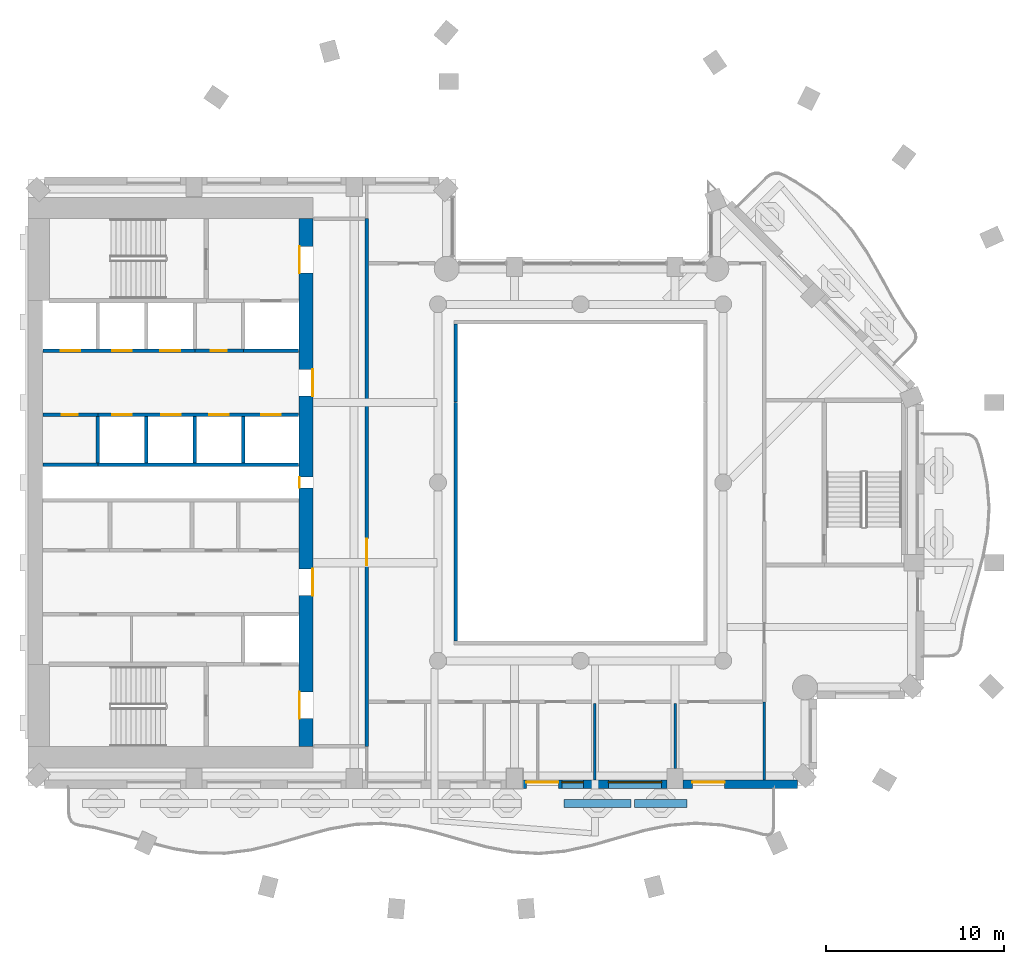
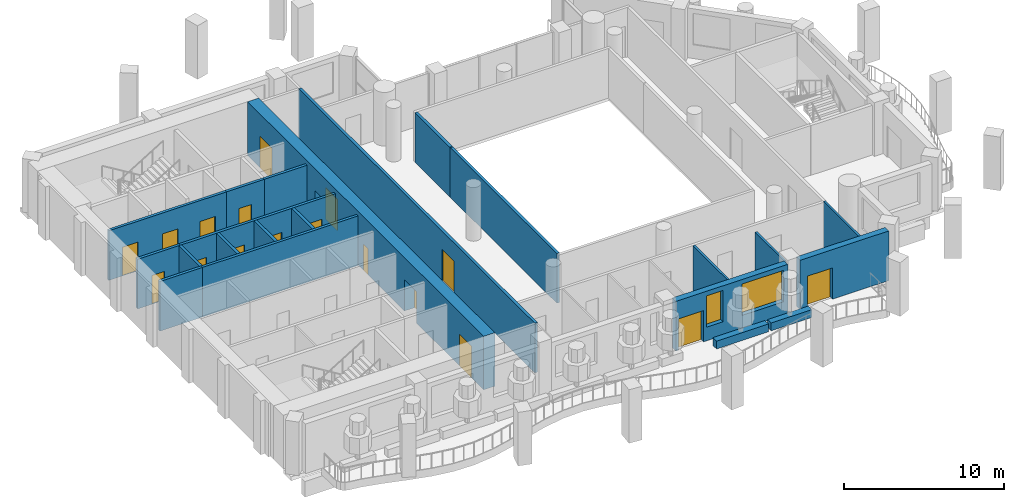
# One storey, part 5 of 15: 22 walls, 17 doors, 2 windows, 19 openings.
"""IFC4 building model written with IfcOpenShell, lengths in metres."""

from ifc_helpers import new_model, si_unit, direction, frame, frame_2d, origin, place, context, subcontext, project, spatial, rectangle, extrude, material, layer, layer_set, type_object, element, fill, save


model = new_model("IFC4")

# Units and contexts
model_context = context("Model", 3, precision=1e-05, world=origin(), true_north=direction((0.0, 1.0)))
body_context = subcontext(model_context, "Body", "Model", "MODEL_VIEW")
ifc_project = project(units=[si_unit("LENGTHUNIT", "METRE"), si_unit("AREAUNIT", "SQUARE_METRE"), si_unit("VOLUMEUNIT", "CUBIC_METRE"), si_unit("PLANEANGLEUNIT", "RADIAN"), si_unit("MASSUNIT", "GRAM", prefix="KILO")], contexts=[model_context])

# Site, building, storey
site_placement = place(None, origin())
site = spatial("IfcSite", under=ifc_project, at=site_placement, CompositionType="ELEMENT")
building_placement = place(site_placement, origin())
building = spatial("IfcBuilding", under=site, at=building_placement, Name="Cypress Arch Tower", CompositionType="ELEMENT")
storey_placement = place(building_placement, frame((0.0, 0.0, 234.300048828125)))
storey = spatial("IfcBuildingStorey", under=building, at=storey_placement, Name="L52", CompositionType="ELEMENT", Elevation=234.300048828125)

# Walls
ifc_material_1 = material(Name="Concrete C40/50, waterproofed", Category="concrete")
ifc_layer_1 = layer(ifc_material_1, 0.449951171875)
ifc_layer_set_1 = layer_set([ifc_layer_1], Name="Balcony planter wall PW450")
wall_type_1 = type_object("IfcWallType", Name="Balcony planter wall PW450", PredefinedType="SOLIDWALL", material=ifc_layer_set_1)
wall_1_placement = place(storey_placement, frame((0.070068359375, -18.0, 0.0), z_axis=(0.0, 0.0, 1.0), x_axis=(1.0, 0.0, 0.0)))
element("IfcWall", 1, at=wall_1_placement, inside=storey, type_object=wall_type_1, Name="Balcony planter wall L52-B01.8", PredefinedType="SOLIDWALL", context=body_context, shape_type="SweptSolid", body=[
    extrude(rectangle(XDim=3.760009765625, YDim=0.449951171875, at=frame_2d((1.8798828125, 0.0))), origin(), (0.0, 0.0, 1.0), 0.599853515625),
])
wall_2_placement = place(storey_placement, frame((4.030029296875, -18.0, 0.0), z_axis=(0.0, 0.0, 1.0), x_axis=(1.0, 0.0, 0.0)))
element("IfcWall", 2, at=wall_2_placement, inside=storey, type_object=wall_type_1, Name="Balcony planter wall L52-B01.9", PredefinedType="SOLIDWALL", context=body_context, shape_type="SweptSolid", body=[
    extrude(rectangle(XDim=2.945068359375, YDim=0.449951171875, at=frame_2d((1.47265625, 0.0))), origin(), (0.0, 0.0, 1.0), 0.599853515625),
])

# Wall, openings, door, windows
ifc_material_2 = material(Name="Brick (red buff blend)", Category="masonry")
ifc_layer_2 = layer(ifc_material_2, 0.449951171875)
ifc_layer_set_2 = layer_set([ifc_layer_2], Name="Brick pier and spandrel wall BW450")
wall_type_2 = type_object("IfcWallType", Name="Brick pier and spandrel wall BW450", PredefinedType="SOLIDWALL", material=ifc_layer_set_2)
wall_3_placement = place(storey_placement, frame((-2.25, -16.925048828125, 0.0), z_axis=(0.0, 0.0, 1.0), x_axis=(1.0, 0.0, 0.0)))
wall_3 = element("IfcWall", 3, at=wall_3_placement, inside=storey, type_object=wall_type_2, Name="Brick wall L52 B01.3", PredefinedType="SOLIDWALL", context=body_context, shape_type="SweptSolid", body=[
    extrude(rectangle(XDim=8.10009765625, YDim=0.449951171875, at=frame_2d((4.050048828125, 0.0))), origin(), (0.0, 0.0, 1.0), 3.800048828125),
])
opening_1_placement = place(wall_3_placement, frame((0.199951171875, 0.0, 0.0)))
opening_1 = element("IfcOpeningElement", 4, at=opening_1_placement, cuts=wall_3, Name="Opening D-L52-B01.3.1", PredefinedType="OPENING", context=body_context, shape_type="SweptSolid", body=[
    extrude(rectangle(XDim=1.800048828125, YDim=2.39990234375, at=frame_2d((0.89990234375, 1.199951171875))), frame((0.0, 0.23486328125, 0.0), z_axis=(0.0, -1.0, 0.0), x_axis=(1.0, 0.0, 0.0)), (0.0, 0.0, 1.0), 0.469970703125),
])
opening_2_placement = place(wall_3_placement, frame((2.199951171875, 0.0, 1.050048828125)))
opening_2 = element("IfcOpeningElement", 5, at=opening_2_placement, cuts=wall_3, Name="Opening W120OD", PredefinedType="OPENING", context=body_context, shape_type="SweptSolid", body=[
    extrude(rectangle(XDim=1.199951171875, YDim=2.39990234375, at=frame_2d((0.60009765625, 1.199951171875))), frame((0.0, 0.23486328125, 0.0), z_axis=(0.0, -1.0, 0.0), x_axis=(1.0, 0.0, 0.0)), (0.0, 0.0, 1.0), 0.469970703125),
])
opening_3_placement = place(wall_3_placement, frame((4.800048828125, 0.0, 1.050048828125)))
opening_3 = element("IfcOpeningElement", 6, at=opening_3_placement, cuts=wall_3, Name="Opening W300OD", PredefinedType="OPENING", context=body_context, shape_type="SweptSolid", body=[
    extrude(rectangle(XDim=3.0, YDim=2.39990234375, at=frame_2d((1.5, 1.199951171875))), frame((0.0, 0.23486328125, 0.0), z_axis=(0.0, -1.0, 0.0), x_axis=(1.0, 0.0, 0.0)), (0.0, 0.0, 1.0), 0.469970703125),
])
ifc_material_3 = material(Name="Anodised aluminium, bronze finish, laminated low-emissivity double glazing, large-missile impact rated", Category="aluminium")
door_type_1 = type_object("IfcDoorType", Name="Balcony sliding door 1800x2400", OperationType="SLIDING_TO_LEFT", PredefinedType="DOOR", material=ifc_material_3)
door_1_placement = place(opening_1_placement, origin())
door_1 = element("IfcDoor", 7, at=door_1_placement, inside=storey, type_object=door_type_1, Name="Balcony door L52 B01.3.1", OperationType="SLIDING_TO_LEFT", OverallHeight=2.39990234375, OverallWidth=1.800048828125, PredefinedType="DOOR", context=body_context, shape_type="SweptSolid", body=[
    extrude(rectangle(XDim=1.800048828125, YDim=2.39990234375, at=frame_2d((0.89990234375, 1.199951171875))), frame((0.0, 0.1298828125, 0.0), z_axis=(0.0, -1.0, 0.0), x_axis=(1.0, 0.0, 0.0)), (0.0, 0.0, 1.0), 0.050048828125),
])
fill(opening_1, door_1)
ifc_material_4 = material(Name="Anodised aluminium, bronze finish, laminated low-emissivity double glazing, large-missile impact rated", Category="aluminium")
window_type_1 = type_object("IfcWindowType", Name="Window Office 1200x2400 debris-rated", PartitioningType="SINGLE_PANEL", PredefinedType="WINDOW", material=ifc_material_4)
window_1_placement = place(opening_2_placement, origin())
window_1 = element("IfcWindow", 8, at=window_1_placement, inside=storey, type_object=window_type_1, Name="Window L52 B01.3.1", OverallHeight=2.39990234375, OverallWidth=1.199951171875, PartitioningType="SINGLE_PANEL", PredefinedType="WINDOW", context=body_context, shape_type="SweptSolid", body=[
    extrude(rectangle(XDim=1.199951171875, YDim=2.39990234375, at=frame_2d((0.60009765625, 1.199951171875))), frame((0.0, 0.135009765625, 0.0), z_axis=(0.0, -1.0, 0.0), x_axis=(1.0, 0.0, 0.0)), (0.0, 0.0, 1.0), 0.06005859375),
])
fill(opening_2, window_1)
ifc_material_5 = material(Name="Anodised aluminium, bronze finish, laminated low-emissivity double glazing, large-missile impact rated", Category="aluminium")
window_type_2 = type_object("IfcWindowType", Name="Window Office 3000x2400 debris-rated", PartitioningType="SINGLE_PANEL", PredefinedType="WINDOW", material=ifc_material_5)
window_2_placement = place(opening_3_placement, origin())
window_2 = element("IfcWindow", 9, at=window_2_placement, inside=storey, type_object=window_type_2, Name="Window L52 B01.3.2", OverallHeight=2.39990234375, OverallWidth=3.0, PartitioningType="SINGLE_PANEL", PredefinedType="WINDOW", context=body_context, shape_type="SweptSolid", body=[
    extrude(rectangle(XDim=3.0, YDim=2.39990234375, at=frame_2d((1.5, 1.199951171875))), frame((0.0, 0.135009765625, 0.0), z_axis=(0.0, -1.0, 0.0), x_axis=(1.0, 0.0, 0.0)), (0.0, 0.0, 1.0), 0.06005859375),
])
fill(opening_3, window_2)

# Wall, opening, door
wall_4_placement = place(storey_placement, frame((6.75, -16.925048828125, 0.0), z_axis=(0.0, 0.0, 1.0), x_axis=(1.0, 0.0, 0.0)))
wall_4 = element("IfcWall", 10, at=wall_4_placement, inside=storey, type_object=wall_type_2, Name="Brick wall L52 B01.4", PredefinedType="SOLIDWALL", context=body_context, shape_type="SweptSolid", body=[
    extrude(rectangle(XDim=6.41357421875, YDim=0.449951171875, at=frame_2d((3.206787109375, 0.0))), origin(), (0.0, 0.0, 1.0), 3.800048828125),
])
opening_4_placement = place(wall_4_placement, frame((0.52490234375, 0.0, 0.0)))
opening_4 = element("IfcOpeningElement", 11, at=opening_4_placement, cuts=wall_4, Name="Opening D-L52-B01.4.1", PredefinedType="OPENING", context=body_context, shape_type="SweptSolid", body=[
    extrude(rectangle(XDim=1.800048828125, YDim=2.39990234375, at=frame_2d((0.89990234375, 1.199951171875))), frame((0.0, 0.23486328125, 0.0), z_axis=(0.0, -1.0, 0.0), x_axis=(1.0, 0.0, 0.0)), (0.0, 0.0, 1.0), 0.469970703125),
])
door_2_placement = place(opening_4_placement, origin())
door_2 = element("IfcDoor", 12, at=door_2_placement, inside=storey, type_object=door_type_1, Name="Balcony door L52 B01.4.1", OperationType="SLIDING_TO_LEFT", OverallHeight=2.39990234375, OverallWidth=1.800048828125, PredefinedType="DOOR", context=body_context, shape_type="SweptSolid", body=[
    extrude(rectangle(XDim=1.800048828125, YDim=2.39990234375, at=frame_2d((0.89990234375, 1.199951171875))), frame((0.0, 0.1298828125, 0.0), z_axis=(0.0, -1.0, 0.0), x_axis=(1.0, 0.0, 0.0)), (0.0, 0.0, 1.0), 0.050048828125),
])
fill(opening_4, door_2)

# Wall, openings, doors
ifc_material_6 = material(Name="Concrete C70/85", Category="concrete")
ifc_layer_3 = layer(ifc_material_6, 0.800048828125)
ifc_layer_set_3 = layer_set([ifc_layer_3], Name="Core wall CW800 C70/85")
wall_type_3 = type_object("IfcWallType", Name="Core wall CW800 C70/85", PredefinedType="SHEAR", material=ifc_layer_set_3)
wall_5_placement = place(storey_placement, frame((-14.39990234375, -14.800048828125, 0.0), z_axis=(0.0, 0.0, 1.0), x_axis=(0.0, 1.0, 0.0)))
wall_5 = element("IfcWall", 13, at=wall_5_placement, inside=storey, type_object=wall_type_3, Name="Core wall", PredefinedType="SHEAR", context=body_context, shape_type="SweptSolid", body=[
    extrude(rectangle(XDim=29.60009765625, YDim=0.800048828125, at=frame_2d((14.800048828125, 0.0))), origin(), (0.0, 0.0, 1.0), 4.099853515625),
])
opening_5_placement = place(wall_5_placement, frame((1.550048828125, 0.0, 0.0)))
opening_5 = element("IfcOpeningElement", 14, at=opening_5_placement, cuts=wall_5, Name="Opening D07", PredefinedType="OPENING", context=body_context, shape_type="SweptSolid", body=[
    extrude(rectangle(XDim=1.5, YDim=2.39990234375, at=frame_2d((0.75, 1.199951171875))), frame((0.0, 0.409912109375, 0.0), z_axis=(0.0, -1.0, 0.0), x_axis=(1.0, 0.0, 0.0)), (0.0, 0.0, 1.0), 0.820068359375),
])
opening_6_placement = place(wall_5_placement, frame((26.550048828125, 0.0, 0.0)))
opening_6 = element("IfcOpeningElement", 15, at=opening_6_placement, cuts=wall_5, Name="Opening D07", PredefinedType="OPENING", context=body_context, shape_type="SweptSolid", body=[
    extrude(rectangle(XDim=1.5, YDim=2.39990234375, at=frame_2d((0.75, 1.199951171875))), frame((0.0, 0.409912109375, 0.0), z_axis=(0.0, -1.0, 0.0), x_axis=(1.0, 0.0, 0.0)), (0.0, 0.0, 1.0), 0.820068359375),
])
opening_7_placement = place(wall_5_placement, frame((8.449951171875, 0.0, 0.0)))
opening_7 = element("IfcOpeningElement", 16, at=opening_7_placement, cuts=wall_5, Name="Opening D07", PredefinedType="OPENING", context=body_context, shape_type="SweptSolid", body=[
    extrude(rectangle(XDim=1.5, YDim=2.39990234375, at=frame_2d((0.75, 1.199951171875))), frame((0.0, 0.409912109375, 0.0), z_axis=(0.0, -1.0, 0.0), x_axis=(1.0, 0.0, 0.0)), (0.0, 0.0, 1.0), 0.820068359375),
])
opening_8_placement = place(wall_5_placement, frame((19.64990234375, 0.0, 0.0)))
opening_8 = element("IfcOpeningElement", 17, at=opening_8_placement, cuts=wall_5, Name="Opening D07", PredefinedType="OPENING", context=body_context, shape_type="SweptSolid", body=[
    extrude(rectangle(XDim=1.5, YDim=2.39990234375, at=frame_2d((0.75, 1.199951171875))), frame((0.0, 0.409912109375, 0.0), z_axis=(0.0, -1.0, 0.0), x_axis=(1.0, 0.0, 0.0)), (0.0, 0.0, 1.0), 0.820068359375),
])
opening_9_placement = place(wall_5_placement, frame((14.5, 0.0, 0.0)))
opening_9 = element("IfcOpeningElement", 18, at=opening_9_placement, cuts=wall_5, Name="Opening D08", PredefinedType="OPENING", context=body_context, shape_type="SweptSolid", body=[
    extrude(rectangle(XDim=0.60009765625, YDim=2.0, at=frame_2d((0.300048828125, 1.0))), frame((0.0, 0.409912109375, 0.0), z_axis=(0.0, -1.0, 0.0), x_axis=(1.0, 0.0, 0.0)), (0.0, 0.0, 1.0), 0.820068359375),
])
ifc_material_7 = material(Name="Steel framed glazed door, fire resisting", Category="steel")
door_type_2 = type_object("IfcDoorType", Name="Lobby door D07 1500x2400", OperationType="DOUBLE_DOOR_SINGLE_SWING", PredefinedType="DOOR", material=ifc_material_7)
door_3_placement = place(opening_5_placement, origin())
door_3 = element("IfcDoor", 19, at=door_3_placement, inside=storey, type_object=door_type_2, Name="Lobby door", OperationType="DOUBLE_DOOR_SINGLE_SWING", OverallHeight=2.39990234375, OverallWidth=1.5, PredefinedType="DOOR", context=body_context, shape_type="SweptSolid", body=[
    extrude(rectangle(XDim=1.5, YDim=2.39990234375, at=frame_2d((0.75, 1.199951171875))), frame((0.0, 0.39501953125, 0.0), z_axis=(0.0, -1.0, 0.0), x_axis=(1.0, 0.0, 0.0)), (0.0, 0.0, 1.0), 0.050048828125),
])
fill(opening_5, door_3)
door_4_placement = place(opening_6_placement, origin())
door_4 = element("IfcDoor", 20, at=door_4_placement, inside=storey, type_object=door_type_2, Name="Lobby door", OperationType="DOUBLE_DOOR_SINGLE_SWING", OverallHeight=2.39990234375, OverallWidth=1.5, PredefinedType="DOOR", context=body_context, shape_type="SweptSolid", body=[
    extrude(rectangle(XDim=1.5, YDim=2.39990234375, at=frame_2d((0.75, 1.199951171875))), frame((0.0, 0.39501953125, 0.0), z_axis=(0.0, -1.0, 0.0), x_axis=(1.0, 0.0, 0.0)), (0.0, 0.0, 1.0), 0.050048828125),
])
fill(opening_6, door_4)
door_5_placement = place(opening_7_placement, origin())
door_5 = element("IfcDoor", 21, at=door_5_placement, inside=storey, type_object=door_type_2, Name="Lobby door", OperationType="DOUBLE_DOOR_SINGLE_SWING", OverallHeight=2.39990234375, OverallWidth=1.5, PredefinedType="DOOR", context=body_context, shape_type="SweptSolid", body=[
    extrude(rectangle(XDim=1.5, YDim=2.39990234375, at=frame_2d((0.75, 1.199951171875))), frame((0.0, -0.34521484375, 0.0), z_axis=(0.0, -1.0, 0.0), x_axis=(1.0, 0.0, 0.0)), (0.0, 0.0, 1.0), 0.050048828125),
])
fill(opening_7, door_5)
door_6_placement = place(opening_8_placement, origin())
door_6 = element("IfcDoor", 22, at=door_6_placement, inside=storey, type_object=door_type_2, Name="Lobby door", OperationType="DOUBLE_DOOR_SINGLE_SWING", OverallHeight=2.39990234375, OverallWidth=1.5, PredefinedType="DOOR", context=body_context, shape_type="SweptSolid", body=[
    extrude(rectangle(XDim=1.5, YDim=2.39990234375, at=frame_2d((0.75, 1.199951171875))), frame((0.0, -0.34521484375, 0.0), z_axis=(0.0, -1.0, 0.0), x_axis=(1.0, 0.0, 0.0)), (0.0, 0.0, 1.0), 0.050048828125),
])
fill(opening_8, door_6)
ifc_material_8 = material(Name="Steel access door, fire resisting", Category="steel")
door_type_3 = type_object("IfcDoorType", Name="Riser access door D08 600x2000", OperationType="SINGLE_SWING_LEFT", PredefinedType="DOOR", material=ifc_material_8)
door_7_placement = place(opening_9_placement, origin())
door_7 = element("IfcDoor", 23, at=door_7_placement, inside=storey, type_object=door_type_3, Name="Riser access door", OperationType="SINGLE_SWING_RIGHT", OverallHeight=2.0, OverallWidth=0.60009765625, PredefinedType="DOOR", context=body_context, shape_type="SweptSolid", body=[
    extrude(rectangle(XDim=0.60009765625, YDim=2.0, at=frame_2d((0.300048828125, 1.0))), frame((0.0, 0.39501953125, 0.0), z_axis=(0.0, -1.0, 0.0), x_axis=(1.0, 0.0, 0.0)), (0.0, 0.0, 1.0), 0.050048828125),
])
fill(opening_9, door_7)

# Wall, opening, door
ifc_material_9 = material(Name="Concrete blockwork, plastered, rated", Category="masonry")
ifc_layer_4 = layer(ifc_material_9, 0.199951171875)
ifc_layer_set_4 = layer_set([ifc_layer_4], Name="Corridor wall FW200")
wall_type_4 = type_object("IfcWallType", Name="Corridor wall FW200", PredefinedType="PARTITIONING", material=ifc_layer_set_4)
wall_6_placement = place(storey_placement, frame((-29.169921875, 3.800048828125, 0.0), z_axis=(0.0, 0.0, 1.0), x_axis=(1.0, 0.0, 0.0)))
wall_6 = element("IfcWall", 24, at=wall_6_placement, inside=storey, type_object=wall_type_4, Name="Corridor wall", PredefinedType="PARTITIONING", context=body_context, shape_type="SweptSolid", body=[
    extrude(rectangle(XDim=3.08984375, YDim=0.199951171875, at=frame_2d((1.544921875, 0.0))), origin(), (0.0, 0.0, 1.0), 3.800048828125),
])
opening_10_placement = place(wall_6_placement, frame((1.050048828125, 0.0, 0.0)))
opening_10 = element("IfcOpeningElement", 25, at=opening_10_placement, cuts=wall_6, Name="Opening D05", PredefinedType="OPENING", context=body_context, shape_type="SweptSolid", body=[
    extrude(rectangle(XDim=0.89990234375, YDim=2.199951171875, at=frame_2d((0.449951171875, 1.10009765625))), frame((0.0, 0.10986328125, 0.0), z_axis=(0.0, -1.0, 0.0), x_axis=(1.0, 0.0, 0.0)), (0.0, 0.0, 1.0), 0.219970703125),
])
ifc_material_10 = material(Name="Timber flush door", Category="wood")
door_type_4 = type_object("IfcDoorType", Name="Service door D05 900x2200", OperationType="SINGLE_SWING_LEFT", PredefinedType="DOOR", material=ifc_material_10)
door_8_placement = place(opening_10_placement, origin())
door_8 = element("IfcDoor", 26, at=door_8_placement, inside=storey, type_object=door_type_4, Name="Service door", OperationType="SINGLE_SWING_LEFT", OverallHeight=2.199951171875, OverallWidth=0.89990234375, PredefinedType="DOOR", context=body_context, shape_type="SweptSolid", body=[
    extrude(rectangle(XDim=0.89990234375, YDim=2.199951171875, at=frame_2d((0.449951171875, 1.10009765625))), frame((0.0, 0.02490234375, 0.0), z_axis=(0.0, -1.0, 0.0), x_axis=(1.0, 0.0, 0.0)), (0.0, 0.0, 1.0), 0.050048828125),
])
fill(opening_10, door_8)

wall_7_placement = place(storey_placement, frame((-20.639892578125, 7.39990234375, 0.0), z_axis=(0.0, 0.0, 1.0), x_axis=(1.0, 0.0, 0.0)))
wall_7 = element("IfcWall", 27, at=wall_7_placement, inside=storey, type_object=wall_type_4, Name="Corridor wall", PredefinedType="PARTITIONING", context=body_context, shape_type="SweptSolid", body=[
    extrude(rectangle(XDim=2.719970703125, YDim=0.199951171875, at=frame_2d((1.35986328125, 0.0))), origin(), (0.0, 0.0, 1.0), 3.800048828125),
])
opening_11_placement = place(wall_7_placement, frame((0.89990234375, 0.0, 0.0)))
opening_11 = element("IfcOpeningElement", 28, at=opening_11_placement, cuts=wall_7, Name="Opening D05", PredefinedType="OPENING", context=body_context, shape_type="SweptSolid", body=[
    extrude(rectangle(XDim=0.89990234375, YDim=2.199951171875, at=frame_2d((0.449951171875, 1.10009765625))), frame((0.0, 0.10986328125, 0.0), z_axis=(0.0, -1.0, 0.0), x_axis=(1.0, 0.0, 0.0)), (0.0, 0.0, 1.0), 0.219970703125),
])
door_9_placement = place(opening_11_placement, origin())
door_9 = element("IfcDoor", 29, at=door_9_placement, inside=storey, type_object=door_type_4, Name="Service door", OperationType="SINGLE_SWING_LEFT", OverallHeight=2.199951171875, OverallWidth=0.89990234375, PredefinedType="DOOR", context=body_context, shape_type="SweptSolid", body=[
    extrude(rectangle(XDim=0.89990234375, YDim=2.199951171875, at=frame_2d((0.449951171875, 1.10009765625))), frame((0.0, 0.02490234375, 0.0), z_axis=(0.0, -1.0, 0.0), x_axis=(1.0, 0.0, 0.0)), (0.0, 0.0, 1.0), 0.050048828125),
])
fill(opening_11, door_9)

wall_8_placement = place(storey_placement, frame((-11.0, -14.800048828125, 0.0), z_axis=(0.0, 0.0, 1.0), x_axis=(0.0, 1.0, 0.0)))
wall_8 = element("IfcWall", 30, at=wall_8_placement, inside=storey, type_object=wall_type_4, Name="Corridor wall", PredefinedType="PARTITIONING", context=body_context, shape_type="SweptSolid", body=[
    extrude(rectangle(XDim=29.60009765625, YDim=0.199951171875, at=frame_2d((14.800048828125, 0.0))), origin(), (0.0, 0.0, 1.0), 3.800048828125),
])
opening_12_placement = place(wall_8_placement, frame((10.14990234375, 0.0, 0.0)))
opening_12 = element("IfcOpeningElement", 31, at=opening_12_placement, cuts=wall_8, Name="Opening D07", PredefinedType="OPENING", context=body_context, shape_type="SweptSolid", body=[
    extrude(rectangle(XDim=1.5, YDim=2.39990234375, at=frame_2d((0.75, 1.199951171875))), frame((0.0, 0.10986328125, 0.0), z_axis=(0.0, -1.0, 0.0), x_axis=(1.0, 0.0, 0.0)), (0.0, 0.0, 1.0), 0.219970703125),
])
door_10_placement = place(opening_12_placement, origin())
door_10 = element("IfcDoor", 32, at=door_10_placement, inside=storey, type_object=door_type_2, Name="Lobby door", OperationType="DOUBLE_DOOR_SINGLE_SWING", OverallHeight=2.39990234375, OverallWidth=1.5, PredefinedType="DOOR", context=body_context, shape_type="SweptSolid", body=[
    extrude(rectangle(XDim=1.5, YDim=2.39990234375, at=frame_2d((0.75, 1.199951171875))), frame((0.0, 0.02490234375, 0.0), z_axis=(0.0, -1.0, 0.0), x_axis=(1.0, 0.0, 0.0)), (0.0, 0.0, 1.0), 0.050048828125),
])
fill(opening_12, door_10)

# Walls
wall_9_placement = place(storey_placement, frame((-6.0, -8.89990234375, 0.0), z_axis=(0.0, 0.0, 1.0), x_axis=(0.0, 1.0, 0.0)))
element("IfcWall", 33, at=wall_9_placement, inside=storey, type_object=wall_type_4, Name="Corridor wall", PredefinedType="PARTITIONING", context=body_context, shape_type="SweptSolid", body=[
    extrude(rectangle(XDim=13.3798828125, YDim=0.199951171875, at=frame_2d((6.68994140625, 0.0))), origin(), (0.0, 0.0, 1.0), 3.800048828125),
])
wall_10_placement = place(storey_placement, frame((-6.0, 4.52001953125, 0.0), z_axis=(0.0, 0.0, 1.0), x_axis=(0.0, 1.0, 0.0)))
element("IfcWall", 34, at=wall_10_placement, inside=storey, type_object=wall_type_4, Name="Corridor wall", PredefinedType="PARTITIONING", context=body_context, shape_type="SweptSolid", body=[
    extrude(rectangle(XDim=4.3798828125, YDim=0.199951171875, at=frame_2d((2.18994140625, 0.0))), origin(), (0.0, 0.0, 1.0), 3.800048828125),
])
ifc_material_11 = material(Name="Blockwork, plastered both sides", Category="masonry")
ifc_layer_5 = layer(ifc_material_11, 0.14990234375)
ifc_layer_set_5 = layer_set([ifc_layer_5], Name="Partition PW150")
wall_type_5 = type_object("IfcWallType", Name="Partition PW150", PredefinedType="PARTITIONING", material=ifc_layer_set_5)
wall_11_placement = place(storey_placement, frame((1.800048828125, -16.699951171875, 0.0), z_axis=(0.0, 0.0, 1.0), x_axis=(0.0, 1.0, 0.0)))
element("IfcWall", 35, at=wall_11_placement, inside=storey, type_object=wall_type_5, Name="Partition", PredefinedType="PARTITIONING", context=body_context, shape_type="SweptSolid", body=[
    extrude(rectangle(XDim=4.300048828125, YDim=0.14990234375, at=frame_2d((2.14990234375, 0.0))), origin(), (0.0, 0.0, 1.0), 3.800048828125),
])
wall_12_placement = place(storey_placement, frame((6.300048828125, -16.050048828125, 0.0), z_axis=(0.0, 0.0, 1.0), x_axis=(0.0, 1.0, 0.0)))
element("IfcWall", 36, at=wall_12_placement, inside=storey, type_object=wall_type_5, Name="Partition", PredefinedType="PARTITIONING", context=body_context, shape_type="SweptSolid", body=[
    extrude(rectangle(XDim=3.650146484375, YDim=0.14990234375, at=frame_2d((1.8251953125, 0.0))), origin(), (0.0, 0.0, 1.0), 3.25),
])
wall_13_placement = place(storey_placement, frame((11.300048828125, -16.699951171875, 0.0), z_axis=(0.0, 0.0, 1.0), x_axis=(0.0, 1.0, 0.0)))
element("IfcWall", 37, at=wall_13_placement, inside=storey, type_object=wall_type_5, Name="Partition", PredefinedType="PARTITIONING", context=body_context, shape_type="SweptSolid", body=[
    extrude(rectangle(XDim=4.39990234375, YDim=0.14990234375, at=frame_2d((2.199951171875, 0.0))), origin(), (0.0, 0.0, 1.0), 3.800048828125),
])
ifc_material_12 = material(Name="Reinforced blockwork, plastered, rated", Category="masonry")
ifc_layer_6 = layer(ifc_material_12, 0.199951171875)
ifc_layer_set_6 = layer_set([ifc_layer_6], Name="Plant and riser wall PL200")
wall_type_6 = type_object("IfcWallType", Name="Plant and riser wall PL200", PredefinedType="PARTITIONING", material=ifc_layer_set_6)
wall_14_placement = place(storey_placement, frame((-29.169921875, 1.0, 0.0), z_axis=(0.0, 0.0, 1.0), x_axis=(1.0, 0.0, 0.0)))
element("IfcWall", 38, at=wall_14_placement, inside=storey, type_object=wall_type_6, Name="Plant and riser wall", PredefinedType="PARTITIONING", context=body_context, shape_type="SweptSolid", body=[
    extrude(rectangle(XDim=3.08984375, YDim=0.199951171875, at=frame_2d((1.544921875, 0.0))), origin(), (0.0, 0.0, 1.0), 3.800048828125),
])

# Wall, openings, doors
ifc_material_13 = material(Name="Concrete C50/60", Category="concrete")
ifc_layer_7 = layer(ifc_material_13, 0.199951171875)
ifc_layer_set_7 = layer_set([ifc_layer_7], Name="Shaft wall SH200")
wall_type_7 = type_object("IfcWallType", Name="Shaft wall SH200", PredefinedType="SHEAR", material=ifc_layer_set_7)
wall_15_placement = place(storey_placement, frame((-29.169921875, 7.39990234375, 0.0), z_axis=(0.0, 0.0, 1.0), x_axis=(1.0, 0.0, 0.0)))
wall_15 = element("IfcWall", 39, at=wall_15_placement, inside=storey, type_object=wall_type_7, Name="Shaft wall", PredefinedType="SHEAR", context=body_context, shape_type="SweptSolid", body=[
    extrude(rectangle(XDim=8.530029296875, YDim=0.199951171875, at=frame_2d((4.26513671875, 0.0))), origin(), (0.0, 0.0, 1.0), 3.800048828125),
])
opening_13_placement = place(wall_15_placement, frame((1.0, 0.0, 0.0)))
opening_13 = element("IfcOpeningElement", 40, at=opening_13_placement, cuts=wall_15, Name="Opening LD-HR5", PredefinedType="OPENING", context=body_context, shape_type="SweptSolid", body=[
    extrude(rectangle(XDim=1.10009765625, YDim=2.199951171875, at=frame_2d((0.550048828125, 1.10009765625))), frame((0.0, 0.10986328125, 0.0), z_axis=(0.0, -1.0, 0.0), x_axis=(1.0, 0.0, 0.0)), (0.0, 0.0, 1.0), 0.219970703125),
])
opening_14_placement = place(wall_15_placement, frame((3.89990234375, 0.0, 0.0)))
opening_14 = element("IfcOpeningElement", 41, at=opening_14_placement, cuts=wall_15, Name="Opening LD-HR6", PredefinedType="OPENING", context=body_context, shape_type="SweptSolid", body=[
    extrude(rectangle(XDim=1.10009765625, YDim=2.199951171875, at=frame_2d((0.550048828125, 1.10009765625))), frame((0.0, 0.10986328125, 0.0), z_axis=(0.0, -1.0, 0.0), x_axis=(1.0, 0.0, 0.0)), (0.0, 0.0, 1.0), 0.219970703125),
])
opening_15_placement = place(wall_15_placement, frame((6.60009765625, 0.0, 0.0)))
opening_15 = element("IfcOpeningElement", 42, at=opening_15_placement, cuts=wall_15, Name="Opening LD-HR7", PredefinedType="OPENING", context=body_context, shape_type="SweptSolid", body=[
    extrude(rectangle(XDim=1.10009765625, YDim=2.199951171875, at=frame_2d((0.550048828125, 1.10009765625))), frame((0.0, 0.10986328125, 0.0), z_axis=(0.0, -1.0, 0.0), x_axis=(1.0, 0.0, 0.0)), (0.0, 0.0, 1.0), 0.219970703125),
])
ifc_material_14 = material(Name="Stainless steel centre-opening landing door, rated", Category="steel")
door_type_5 = type_object("IfcDoorType", Name="Lift landing door LD 1100x2200", OperationType="DOUBLE_DOOR_SLIDING", PredefinedType="DOOR", material=ifc_material_14)
door_11_placement = place(opening_13_placement, origin())
door_11 = element("IfcDoor", 43, at=door_11_placement, inside=storey, type_object=door_type_5, Name="Lift landing doors HR5", OperationType="DOUBLE_DOOR_SLIDING", OverallHeight=2.199951171875, OverallWidth=1.10009765625, PredefinedType="DOOR", context=body_context, shape_type="SweptSolid", body=[
    extrude(rectangle(XDim=1.10009765625, YDim=2.199951171875, at=frame_2d((0.550048828125, 1.10009765625))), frame((0.0, 0.02490234375, 0.0), z_axis=(0.0, -1.0, 0.0), x_axis=(1.0, 0.0, 0.0)), (0.0, 0.0, 1.0), 0.050048828125),
])
fill(opening_13, door_11)
door_12_placement = place(opening_14_placement, origin())
door_12 = element("IfcDoor", 44, at=door_12_placement, inside=storey, type_object=door_type_5, Name="Lift landing doors HR6", OperationType="DOUBLE_DOOR_SLIDING", OverallHeight=2.199951171875, OverallWidth=1.10009765625, PredefinedType="DOOR", context=body_context, shape_type="SweptSolid", body=[
    extrude(rectangle(XDim=1.10009765625, YDim=2.199951171875, at=frame_2d((0.550048828125, 1.10009765625))), frame((0.0, 0.02490234375, 0.0), z_axis=(0.0, -1.0, 0.0), x_axis=(1.0, 0.0, 0.0)), (0.0, 0.0, 1.0), 0.050048828125),
])
fill(opening_14, door_12)
door_13_placement = place(opening_15_placement, origin())
door_13 = element("IfcDoor", 45, at=door_13_placement, inside=storey, type_object=door_type_5, Name="Lift landing doors HR7", OperationType="DOUBLE_DOOR_SLIDING", OverallHeight=2.199951171875, OverallWidth=1.10009765625, PredefinedType="DOOR", context=body_context, shape_type="SweptSolid", body=[
    extrude(rectangle(XDim=1.10009765625, YDim=2.199951171875, at=frame_2d((0.550048828125, 1.10009765625))), frame((0.0, 0.02490234375, 0.0), z_axis=(0.0, -1.0, 0.0), x_axis=(1.0, 0.0, 0.0)), (0.0, 0.0, 1.0), 0.050048828125),
])
fill(opening_15, door_13)

# Walls
wall_16_placement = place(storey_placement, frame((-26.080078125, 1.10009765625, 0.0), z_axis=(0.0, 0.0, 1.0), x_axis=(0.0, 1.0, 0.0)))
element("IfcWall", 46, at=wall_16_placement, inside=storey, type_object=wall_type_7, Name="Shaft wall", PredefinedType="SHEAR", context=body_context, shape_type="SweptSolid", body=[
    extrude(rectangle(XDim=2.599853515625, YDim=0.199951171875, at=frame_2d((1.2998046875, 0.0))), origin(), (0.0, 0.0, 1.0), 3.800048828125),
])
wall_17_placement = place(storey_placement, frame((-26.080078125, 1.0, 0.0), z_axis=(0.0, 0.0, 1.0), x_axis=(1.0, 0.0, 0.0)))
element("IfcWall", 47, at=wall_17_placement, inside=storey, type_object=wall_type_7, Name="Shaft wall", PredefinedType="SHEAR", context=body_context, shape_type="SweptSolid", body=[
    extrude(rectangle(XDim=11.25, YDim=0.199951171875, at=frame_2d((5.625, 0.0))), origin(), (0.0, 0.0, 1.0), 3.800048828125),
])

# Wall, openings, doors
wall_18_placement = place(storey_placement, frame((-26.080078125, 3.800048828125, 0.0), z_axis=(0.0, 0.0, 1.0), x_axis=(1.0, 0.0, 0.0)))
wall_18 = element("IfcWall", 48, at=wall_18_placement, inside=storey, type_object=wall_type_7, Name="Shaft wall", PredefinedType="SHEAR", context=body_context, shape_type="SweptSolid", body=[
    extrude(rectangle(XDim=11.25, YDim=0.199951171875, at=frame_2d((5.625, 0.0))), origin(), (0.0, 0.0, 1.0), 3.800048828125),
])
opening_16_placement = place(wall_18_placement, frame((0.800048828125, 0.0, 0.0)))
opening_16 = element("IfcOpeningElement", 49, at=opening_16_placement, cuts=wall_18, Name="Opening LD-HR1", PredefinedType="OPENING", context=body_context, shape_type="SweptSolid", body=[
    extrude(rectangle(XDim=1.10009765625, YDim=2.199951171875, at=frame_2d((0.550048828125, 1.10009765625))), frame((0.0, 0.10986328125, 0.0), z_axis=(0.0, -1.0, 0.0), x_axis=(1.0, 0.0, 0.0)), (0.0, 0.0, 1.0), 0.219970703125),
])
opening_17_placement = place(wall_18_placement, frame((3.550048828125, 0.0, 0.0)))
opening_17 = element("IfcOpeningElement", 50, at=opening_17_placement, cuts=wall_18, Name="Opening LD-HR2", PredefinedType="OPENING", context=body_context, shape_type="SweptSolid", body=[
    extrude(rectangle(XDim=1.10009765625, YDim=2.199951171875, at=frame_2d((0.550048828125, 1.10009765625))), frame((0.0, 0.10986328125, 0.0), z_axis=(0.0, -1.0, 0.0), x_axis=(1.0, 0.0, 0.0)), (0.0, 0.0, 1.0), 0.219970703125),
])
opening_18_placement = place(wall_18_placement, frame((6.25, 0.0, 0.0)))
opening_18 = element("IfcOpeningElement", 51, at=opening_18_placement, cuts=wall_18, Name="Opening LD-HR3", PredefinedType="OPENING", context=body_context, shape_type="SweptSolid", body=[
    extrude(rectangle(XDim=1.10009765625, YDim=2.199951171875, at=frame_2d((0.550048828125, 1.10009765625))), frame((0.0, 0.10986328125, 0.0), z_axis=(0.0, -1.0, 0.0), x_axis=(1.0, 0.0, 0.0)), (0.0, 0.0, 1.0), 0.219970703125),
])
opening_19_placement = place(wall_18_placement, frame((9.14990234375, 0.0, 0.0)))
opening_19 = element("IfcOpeningElement", 52, at=opening_19_placement, cuts=wall_18, Name="Opening LD-HR4", PredefinedType="OPENING", context=body_context, shape_type="SweptSolid", body=[
    extrude(rectangle(XDim=1.10009765625, YDim=2.199951171875, at=frame_2d((0.550048828125, 1.10009765625))), frame((0.0, 0.10986328125, 0.0), z_axis=(0.0, -1.0, 0.0), x_axis=(1.0, 0.0, 0.0)), (0.0, 0.0, 1.0), 0.219970703125),
])
door_14_placement = place(opening_16_placement, origin())
door_14 = element("IfcDoor", 53, at=door_14_placement, inside=storey, type_object=door_type_5, Name="Lift landing doors HR1", OperationType="DOUBLE_DOOR_SLIDING", OverallHeight=2.199951171875, OverallWidth=1.10009765625, PredefinedType="DOOR", context=body_context, shape_type="SweptSolid", body=[
    extrude(rectangle(XDim=1.10009765625, YDim=2.199951171875, at=frame_2d((0.550048828125, 1.10009765625))), frame((0.0, 0.02490234375, 0.0), z_axis=(0.0, -1.0, 0.0), x_axis=(1.0, 0.0, 0.0)), (0.0, 0.0, 1.0), 0.050048828125),
])
fill(opening_16, door_14)
door_15_placement = place(opening_17_placement, origin())
door_15 = element("IfcDoor", 54, at=door_15_placement, inside=storey, type_object=door_type_5, Name="Lift landing doors HR2", OperationType="DOUBLE_DOOR_SLIDING", OverallHeight=2.199951171875, OverallWidth=1.10009765625, PredefinedType="DOOR", context=body_context, shape_type="SweptSolid", body=[
    extrude(rectangle(XDim=1.10009765625, YDim=2.199951171875, at=frame_2d((0.550048828125, 1.10009765625))), frame((0.0, 0.02490234375, 0.0), z_axis=(0.0, -1.0, 0.0), x_axis=(1.0, 0.0, 0.0)), (0.0, 0.0, 1.0), 0.050048828125),
])
fill(opening_17, door_15)
door_16_placement = place(opening_18_placement, origin())
door_16 = element("IfcDoor", 55, at=door_16_placement, inside=storey, type_object=door_type_5, Name="Lift landing doors HR3", OperationType="DOUBLE_DOOR_SLIDING", OverallHeight=2.199951171875, OverallWidth=1.10009765625, PredefinedType="DOOR", context=body_context, shape_type="SweptSolid", body=[
    extrude(rectangle(XDim=1.10009765625, YDim=2.199951171875, at=frame_2d((0.550048828125, 1.10009765625))), frame((0.0, 0.02490234375, 0.0), z_axis=(0.0, -1.0, 0.0), x_axis=(1.0, 0.0, 0.0)), (0.0, 0.0, 1.0), 0.050048828125),
])
fill(opening_18, door_16)
door_17_placement = place(opening_19_placement, origin())
door_17 = element("IfcDoor", 56, at=door_17_placement, inside=storey, type_object=door_type_5, Name="Lift landing doors HR4", OperationType="DOUBLE_DOOR_SLIDING", OverallHeight=2.199951171875, OverallWidth=1.10009765625, PredefinedType="DOOR", context=body_context, shape_type="SweptSolid", body=[
    extrude(rectangle(XDim=1.10009765625, YDim=2.199951171875, at=frame_2d((0.550048828125, 1.10009765625))), frame((0.0, 0.02490234375, 0.0), z_axis=(0.0, -1.0, 0.0), x_axis=(1.0, 0.0, 0.0)), (0.0, 0.0, 1.0), 0.050048828125),
])
fill(opening_19, door_17)

# Walls
for number, where, z_axis, x_axis, name in (
    (57, (-23.360107421875, 1.10009765625, 0.0), (0.0, 0.0, 1.0), (0.0, 1.0, 0.0), "Shaft wall"),
    (58, (-20.639892578125, 1.10009765625, 0.0), (0.0, 0.0, 1.0), (0.0, 1.0, 0.0), "Shaft wall"),
    (59, (-17.919921875, 1.10009765625, 0.0), (0.0, 0.0, 1.0), (0.0, 1.0, 0.0), "Shaft wall"),
):
    element("IfcWall", number, at=place(storey_placement, frame(where, z_axis=z_axis, x_axis=x_axis)), inside=storey, type_object=wall_type_7, Name=name, PredefinedType="SHEAR", context=body_context, shape_type="SweptSolid", body=[
        extrude(rectangle(XDim=2.599853515625, YDim=0.199951171875, at=frame_2d((1.2998046875, 0.0))), origin(), (0.0, 0.0, 1.0), 3.800048828125),
    ])
wall_19_placement = place(storey_placement, frame((-17.919921875, 7.39990234375, 0.0), z_axis=(0.0, 0.0, 1.0), x_axis=(1.0, 0.0, 0.0)))
element("IfcWall", 60, at=wall_19_placement, inside=storey, type_object=wall_type_7, Name="Shaft wall", PredefinedType="SHEAR", context=body_context, shape_type="SweptSolid", body=[
    extrude(rectangle(XDim=3.08984375, YDim=0.199951171875, at=frame_2d((1.544921875, 0.0))), origin(), (0.0, 0.0, 1.0), 3.800048828125),
])

save(model, "model.ifc")
